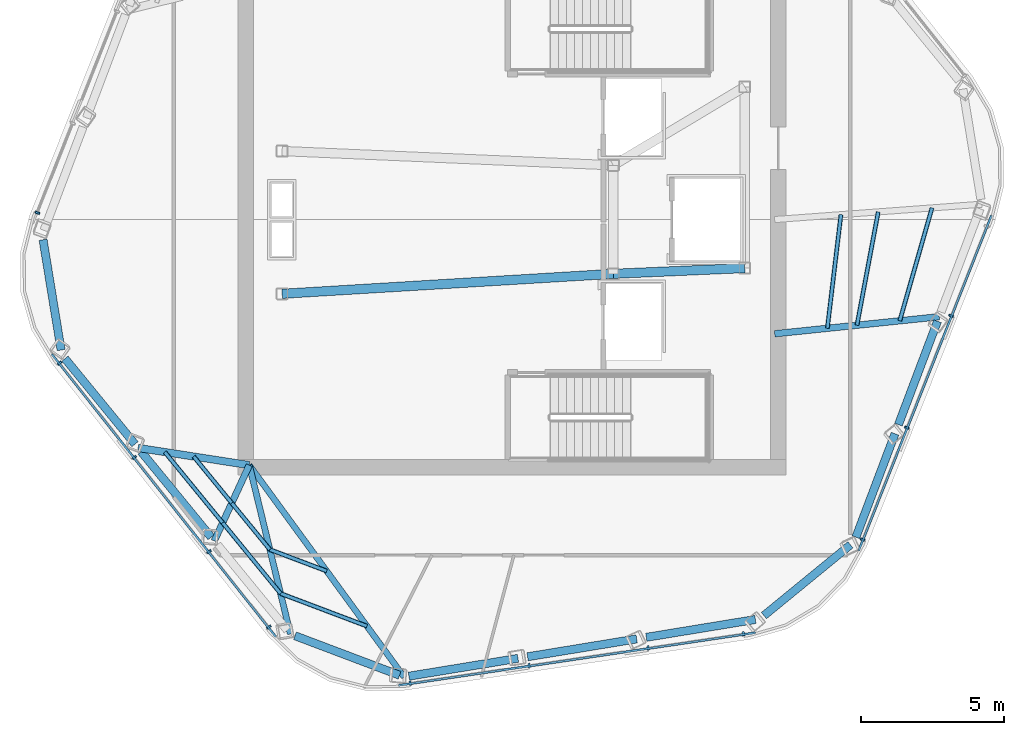
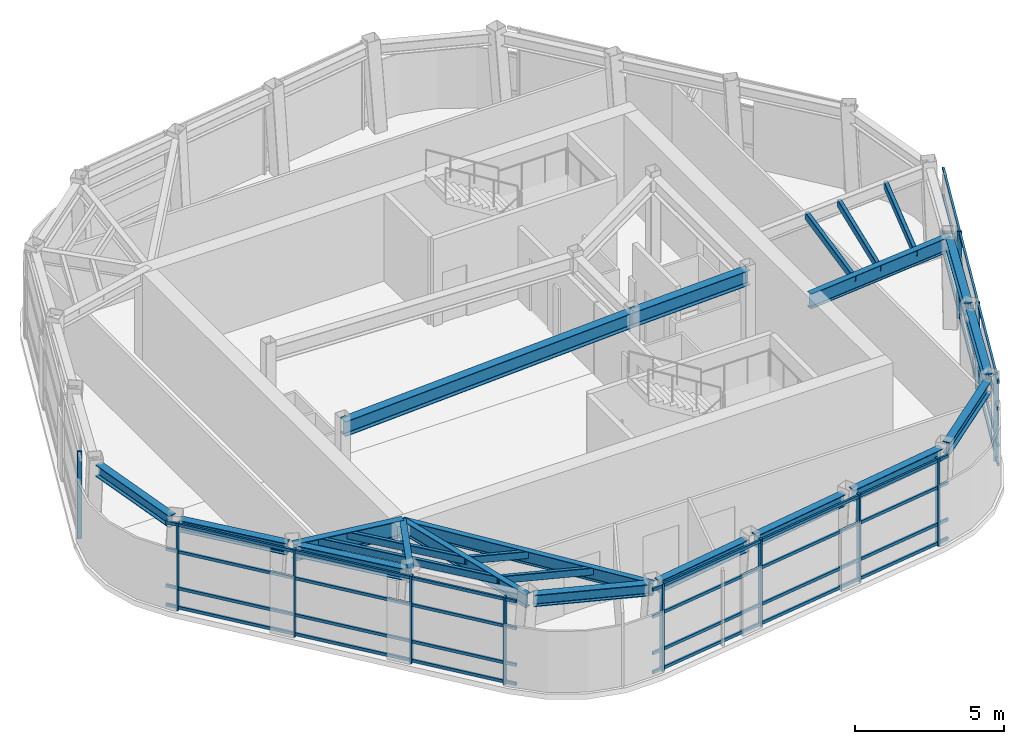
# One storey, part 2 of 9: 33 members, 17 beams, 4 elements without a shape of their own.
"""IFC4 building model written with IfcOpenShell, lengths in metres."""

from ifc_helpers import new_model, si_unit, direction, frame, origin, origin_2d, place, context, subcontext, project, spatial, rectangle, hollow_rectangle, i_section, extrude, material, layer, layer_set, material_profile, profile_set, type_object, element, aggregate, save


model = new_model("IFC4")

# Units and contexts
model_context = context("Model", 3, precision=1e-05, world=origin(), true_north=direction((0.0, 1.0)))
body_context = subcontext(model_context, "Body", "Model", "MODEL_VIEW")
ifc_project = project(units=[si_unit("LENGTHUNIT", "METRE"), si_unit("AREAUNIT", "SQUARE_METRE"), si_unit("VOLUMEUNIT", "CUBIC_METRE"), si_unit("PLANEANGLEUNIT", "RADIAN"), si_unit("MASSUNIT", "GRAM", prefix="KILO")], contexts=[model_context])

# Site, building, storey
site_placement = place(None, origin())
site = spatial("IfcSite", under=ifc_project, at=site_placement, CompositionType="ELEMENT")
building_placement = place(site_placement, origin())
building = spatial("IfcBuilding", under=site, at=building_placement, Name="Valkerne Bourse Tower", CompositionType="ELEMENT")
storey_placement = place(building_placement, frame((0.0, 0.0, 319.199951171875)))
storey = spatial("IfcBuildingStorey", under=building, at=storey_placement, Name="L81", CompositionType="ELEMENT", Elevation=319.199951171875)

# Beams
ifc_material_1 = material(Name="Steel ASTM A992", Category="steel")
ifc_material_profile_1 = material_profile(ifc_material_1, i_section(OverallWidth=0.284423828125, OverallDepth=0.47509765625, WebThickness=0.014892578125, FlangeThickness=0.02392578125, FilletRadius=0.017822265625, at=origin_2d()), Name="W18X106")
ifc_profile_set_1 = profile_set([ifc_material_profile_1], Name="Steel ASTM A992")
beam_type_1 = type_object("IfcBeamType", Name="BM-W18X106", PredefinedType="BEAM", material=ifc_profile_set_1)
beam_1_placement = place(storey_placement, frame((30.376708984375, 26.29443359375, 3.342529296875), z_axis=(0.161617748474, -0.986853435611, 0.0), x_axis=(0.986853435611, 0.161617748474, 0.0)))
element("IfcBeam", 1, at=beam_1_placement, inside=storey, type_object=beam_type_1, Name="L81 Hexagonal Spandrel Ring Beam 07", PredefinedType="BEAM", context=body_context, shape_type="SweptSolid", body=[
    extrude(i_section(OverallWidth=0.284423828125, OverallDepth=0.47509765625, WebThickness=0.014892578125, FlangeThickness=0.02392578125, FilletRadius=0.017822265625, at=origin_2d()), origin(), (0.0, 0.0, 1.0), 3.91552734375),
])
beam_2_placement = place(storey_placement, frame((31.14453125, 22.130859375, 3.342529296875), z_axis=(0.63339916281, -0.773825239025, 0.0), x_axis=(0.773825239025, 0.63339916281, 0.0)))
element("IfcBeam", 2, at=beam_2_placement, inside=storey, type_object=beam_type_1, Name="L81 Hexagonal Spandrel Ring Beam 08", PredefinedType="BEAM", context=body_context, shape_type="SweptSolid", body=[
    extrude(i_section(OverallWidth=0.284423828125, OverallDepth=0.47509765625, WebThickness=0.014892578125, FlangeThickness=0.02392578125, FilletRadius=0.017822265625, at=origin_2d()), origin(), (0.0, 0.0, 1.0), 3.871826171875),
])
beam_3_placement = place(storey_placement, frame((33.8125, 18.87158203125, 3.342529296875), z_axis=(0.633368257448, -0.773850534959, 0.0), x_axis=(0.773850534959, 0.633368257448, 0.0)))
element("IfcBeam", 3, at=beam_3_placement, inside=storey, type_object=beam_type_1, Name="L81 Hexagonal Spandrel Ring Beam 09", PredefinedType="BEAM", context=body_context, shape_type="SweptSolid", body=[
    extrude(i_section(OverallWidth=0.284423828125, OverallDepth=0.47509765625, WebThickness=0.014892578125, FlangeThickness=0.02392578125, FilletRadius=0.017822265625, at=origin_2d()), origin(), (0.0, 0.0, 1.0), 3.8720703125),
])
beam_4_placement = place(storey_placement, frame((39.19921875, 12.42431640625, 3.342529296875), z_axis=(0.935434530098, -0.353499985714, 0.0), x_axis=(0.353499985714, 0.935434530098, 0.0)))
element("IfcBeam", 4, at=beam_4_placement, inside=storey, type_object=beam_type_1, Name="L81 Hexagonal Spandrel Ring Beam 11", PredefinedType="BEAM", context=body_context, shape_type="SweptSolid", body=[
    extrude(i_section(OverallWidth=0.284423828125, OverallDepth=0.47509765625, WebThickness=0.014892578125, FlangeThickness=0.02392578125, FilletRadius=0.017822265625, at=origin_2d()), origin(), (0.0, 0.0, 1.0), 3.916015625),
])
for number, where, z_axis, x_axis, name in (
    (5, (43.18896484375, 11.007568359375, 3.342529296875), (0.986855208983, 0.161606919725, 0.0), (-0.161606919725, 0.986855208983, 0.0), "L81 Hexagonal Spandrel Ring Beam 12"),
    (6, (47.345703125, 11.688232421875, 3.342529296875), (0.986855208983, 0.161606919725, 0.0), (-0.161606919725, 0.986855208983, 0.0), "L81 Hexagonal Spandrel Ring Beam 13"),
    (7, (51.502197265625, 12.368896484375, 3.342529296875), (0.986865263163, 0.161545511739, 0.0), (-0.161545511739, 0.986865263163, 0.0), "L81 Hexagonal Spandrel Ring Beam 14"),
):
    element("IfcBeam", number, at=place(storey_placement, frame(where, z_axis=z_axis, x_axis=x_axis)), inside=storey, type_object=beam_type_1, Name=name, PredefinedType="BEAM", context=body_context, shape_type="SweptSolid", body=[
        extrude(i_section(OverallWidth=0.284423828125, OverallDepth=0.47509765625, WebThickness=0.014892578125, FlangeThickness=0.02392578125, FilletRadius=0.017822265625, at=origin_2d()), origin(), (0.0, 0.0, 1.0), 3.871826171875),
    ])
beam_5_placement = place(storey_placement, frame((55.622802734375, 13.129638671875, 3.342529296875), z_axis=(0.773793366703, 0.633438099302, 0.0), x_axis=(-0.633438099302, 0.773793366703, 0.0)))
element("IfcBeam", 8, at=beam_5_placement, inside=storey, type_object=beam_type_1, Name="L81 Hexagonal Spandrel Ring Beam 15", PredefinedType="BEAM", context=body_context, shape_type="SweptSolid", body=[
    extrude(i_section(OverallWidth=0.284423828125, OverallDepth=0.47509765625, WebThickness=0.014892578125, FlangeThickness=0.02392578125, FilletRadius=0.017822265625, at=origin_2d()), origin(), (0.0, 0.0, 1.0), 3.91552734375),
])
for number, where, z_axis, x_axis, name in (
    (9, (58.844482421875, 15.87646484375, 3.342529296875), (0.353471685559, 0.935445224216, 0.0), (-0.935445224216, 0.353471685559, 0.0), "L81 Hexagonal Spandrel Ring Beam 16"),
    (10, (60.333251953125, 19.816650390625, 3.342529296875), (0.353471685559, 0.935445224216, 0.0), (-0.935445224216, 0.353471685559, 0.0), "L81 Hexagonal Spandrel Ring Beam 17"),
):
    element("IfcBeam", number, at=place(storey_placement, frame(where, z_axis=z_axis, x_axis=x_axis)), inside=storey, type_object=beam_type_1, Name=name, PredefinedType="BEAM", context=body_context, shape_type="SweptSolid", body=[
        extrude(i_section(OverallWidth=0.284423828125, OverallDepth=0.47509765625, WebThickness=0.014892578125, FlangeThickness=0.02392578125, FilletRadius=0.017822265625, at=origin_2d()), origin(), (0.0, 0.0, 1.0), 3.8720703125),
    ])
ifc_material_profile_2 = material_profile(ifc_material_1, i_section(OverallWidth=0.209228515625, OverallDepth=0.533447265625, WebThickness=0.01025390625, FlangeThickness=0.015625, FilletRadius=0.017822265625, at=origin_2d()), Name="W21X62")
ifc_profile_set_2 = profile_set([ifc_material_profile_2], Name="Steel ASTM A992")
beam_type_2 = type_object("IfcBeamType", Name="BM-W21X62", PredefinedType="JOIST", material=ifc_profile_set_2)
beam_6_placement = place(storey_placement, frame((43.021240234375, 10.97998046875, 3.313232421875), z_axis=(-0.589937984802, 0.807448558168, 0.0), x_axis=(-0.807448558168, -0.589937984802, 0.0)))
element("IfcBeam", 11, at=beam_6_placement, inside=storey, type_object=beam_type_2, Name="L81 Radial Composite Floor Beam 12", PredefinedType="JOIST", context=body_context, shape_type="SweptSolid", body=[
    extrude(i_section(OverallWidth=0.209228515625, OverallDepth=0.533447265625, WebThickness=0.01025390625, FlangeThickness=0.015625, FilletRadius=0.017822265625, at=origin_2d()), origin(), (0.0, 0.0, 1.0), 9.189453125),
])
ifc_material_profile_3 = material_profile(ifc_material_1, i_section(OverallWidth=0.2138671875, OverallDepth=0.548583984375, WebThickness=0.0146484375, FlangeThickness=0.023681640625, FilletRadius=0.017822265625, at=origin_2d()), Name="W21X93")
ifc_profile_set_3 = profile_set([ifc_material_profile_3], Name="Steel ASTM A992")
beam_type_3 = type_object("IfcBeamType", Name="BM-W21X93", PredefinedType="BEAM", material=ifc_profile_set_3)
beam_7_placement = place(storey_placement, frame((39.040283203125, 12.484375, 3.3056640625), z_axis=(-0.23654905915, 0.971619546229, 0.0), x_axis=(-0.971619546229, -0.23654905915, 0.0)))
element("IfcBeam", 12, at=beam_7_placement, inside=storey, type_object=beam_type_3, Name="L81 Radial Composite Floor Beam 11", PredefinedType="BEAM", context=body_context, shape_type="SweptSolid", body=[
    extrude(i_section(OverallWidth=0.2138671875, OverallDepth=0.548583984375, WebThickness=0.0146484375, FlangeThickness=0.023681640625, FilletRadius=0.017822265625, at=origin_2d()), origin(), (0.0, 0.0, 1.0), 6.08837890625),
])
ifc_material_profile_4 = material_profile(ifc_material_1, i_section(OverallWidth=0.3251953125, OverallDepth=0.612060546875, WebThickness=0.0126953125, FlangeThickness=0.01904296875, FilletRadius=0.020263671875, at=origin_2d()), Name="W24X104")
ifc_profile_set_4 = profile_set([ifc_material_profile_4], Name="Steel ASTM A992")
beam_type_4 = type_object("IfcBeamType", Name="BM-W24X104", PredefinedType="BEAM", material=ifc_profile_set_4)
beam_8_placement = place(storey_placement, frame((50.35009765625, 25.10009765625, 3.27392578125), z_axis=(0.999056558506, 0.043428019819, 0.0), x_axis=(-0.043428019819, 0.999056558506, 0.0)))
element("IfcBeam", 13, at=beam_8_placement, inside=storey, type_object=beam_type_4, Name="L81 Core Frame Girder CG-SE", PredefinedType="BEAM", context=body_context, shape_type="SweptSolid", body=[
    extrude(i_section(OverallWidth=0.3251953125, OverallDepth=0.612060546875, WebThickness=0.0126953125, FlangeThickness=0.01904296875, FilletRadius=0.020263671875, at=origin_2d()), origin(), (0.0, 0.0, 1.0), 4.604248046875),
])
beam_9_placement = place(storey_placement, frame((38.75, 24.39990234375, 3.27392578125), z_axis=(0.998183228389, 0.060251494276, 0.0), x_axis=(-0.060251494276, 0.998183228389, 0.0)))
element("IfcBeam", 14, at=beam_9_placement, inside=storey, type_object=beam_type_4, Name="L81 Core Frame Girder CG-SW", PredefinedType="BEAM", context=body_context, shape_type="SweptSolid", body=[
    extrude(i_section(OverallWidth=0.3251953125, OverallDepth=0.612060546875, WebThickness=0.0126953125, FlangeThickness=0.01904296875, FilletRadius=0.020263671875, at=origin_2d()), origin(), (0.0, 0.0, 1.0), 11.62109375),
])
ifc_material_profile_5 = material_profile(ifc_material_1, i_section(OverallWidth=0.228271484375, OverallDepth=0.607177734375, WebThickness=0.01123046875, FlangeThickness=0.017333984375, FilletRadius=0.017822265625, at=origin_2d()), Name="W24X76")
ifc_profile_set_5 = profile_set([ifc_material_profile_5], Name="Steel ASTM A992")
beam_type_5 = type_object("IfcBeamType", Name="BM-W24X76", PredefinedType="JOIST", material=ifc_profile_set_5)
beam_10_placement = place(storey_placement, frame((36.37255859375, 15.74365234375, 3.2763671875), z_axis=(0.419502562129, 0.907754151942, 0.0), x_axis=(-0.907754151942, 0.419502562129, 0.0)))
element("IfcBeam", 15, at=beam_10_placement, inside=storey, type_object=beam_type_5, Name="L81 Radial Composite Floor Beam 10", PredefinedType="JOIST", context=body_context, shape_type="SweptSolid", body=[
    extrude(i_section(OverallWidth=0.228271484375, OverallDepth=0.607177734375, WebThickness=0.01123046875, FlangeThickness=0.017333984375, FilletRadius=0.017822265625, at=origin_2d()), origin(), (0.0, 0.0, 1.0), 2.92626953125),
])
beam_11_placement = place(storey_placement, frame((61.761962890625, 23.59765625, 3.2763671875), z_axis=(-0.994663643523, -0.103170907985, 0.0), x_axis=(0.103170907985, -0.994663643523, 0.0)))
element("IfcBeam", 16, at=beam_11_placement, inside=storey, type_object=beam_type_5, Name="L81 Radial Composite Floor Beam 18", PredefinedType="JOIST", context=body_context, shape_type="SweptSolid", body=[
    extrude(i_section(OverallWidth=0.228271484375, OverallDepth=0.607177734375, WebThickness=0.01123046875, FlangeThickness=0.017333984375, FilletRadius=0.017822265625, at=origin_2d()), origin(), (0.0, 0.0, 1.0), 5.79296875),
])
ifc_material_profile_6 = material_profile(ifc_material_1, i_section(OverallWidth=0.255859375, OverallDepth=0.693359375, WebThickness=0.014404296875, FlangeThickness=0.023681640625, FilletRadius=0.02294921875, at=origin_2d()), Name="W27X114")
ifc_profile_set_6 = profile_set([ifc_material_profile_6], Name="Steel ASTM A992")
beam_type_6 = type_object("IfcBeamType", Name="BM-W27X114", PredefinedType="BEAM", material=ifc_profile_set_6)
beam_12_placement = place(storey_placement, frame((33.70458984375, 19.003173828125, 3.2333984375), z_axis=(0.988220133633, -0.153039104425, 0.0), x_axis=(0.153039104425, 0.988220133633, 0.0)))
element("IfcBeam", 17, at=beam_12_placement, inside=storey, type_object=beam_type_6, Name="L81 Radial Composite Floor Beam 09", PredefinedType="BEAM", context=body_context, shape_type="SweptSolid", body=[
    extrude(i_section(OverallWidth=0.255859375, OverallDepth=0.693359375, WebThickness=0.014404296875, FlangeThickness=0.023681640625, FilletRadius=0.02294921875, at=origin_2d()), origin(), (0.0, 0.0, 1.0), 3.94189453125),
])

# Curtain wall, member
ifc_material_2 = material(Name="Aluminium AA 6063-T6", Category="aluminium")
ifc_layer = layer(ifc_material_2, 0.25)
ifc_layer_set = layer_set([ifc_layer], Name="Aluminium AA 6063-T6")
curtain_wall_type = type_object("IfcCurtainWallType", Name="CW-06", PredefinedType="NOTDEFINED", material=ifc_layer_set)
curtain_wall_1_placement = place(storey_placement, origin())
curtain_wall_1 = element("IfcCurtainWall", 18, at=curtain_wall_1_placement, inside=storey, type_object=curtain_wall_type, Name="L81 Hexagonal Stick Curtain Wall Face 2", PredefinedType="NOTDEFINED")
ifc_material_profile_7 = material_profile(ifc_material_2, rectangle(XDim=0.074951171875, YDim=0.159912109375, at=origin_2d()), Name="CWM-75X160")
ifc_profile_set_7 = profile_set([ifc_material_profile_7], Name="Aluminium AA 6063-T6")
member_type_1 = type_object("IfcMemberType", Name="CW-MUL-160X75", PredefinedType="MULLION", material=ifc_profile_set_7)
member_1_placement = place(storey_placement, frame((30.181396484375, 27.236328125, 0.0), z_axis=(0.0, 0.0, 1.0), x_axis=(-0.368117724578, -0.929779189298, 0.0)))
member_1 = element("IfcMember", 19, at=member_1_placement, type_object=member_type_1, Name="CW-L81-F2 Jamb Mullion 02B", PredefinedType="MULLION", context=body_context, shape_type="SweptSolid", body=[
    extrude(rectangle(XDim=0.074951171875, YDim=0.159912109375, at=origin_2d()), origin(), (0.0, 0.0, 1.0), 3.580078125),
])
aggregate(curtain_wall_1, [member_1])

# Curtain wall, members
curtain_wall_2_placement = place(storey_placement, origin())
curtain_wall_2 = element("IfcCurtainWall", 20, at=curtain_wall_2_placement, inside=storey, type_object=curtain_wall_type, Name="L81 Hexagonal Stick Curtain Wall Face 3", PredefinedType="NOTDEFINED")
member_2_placement = place(storey_placement, frame((30.958740234375, 21.970458984375, 0.0), z_axis=(0.0, 0.0, 1.0), x_axis=(0.621153452268, -0.783688961729, 0.0)))
member_2 = element("IfcMember", 21, at=member_2_placement, type_object=member_type_1, Name="CW-L81-F3 Jamb Mullion 00A", PredefinedType="MULLION", context=body_context, shape_type="SweptSolid", body=[
    extrude(rectangle(XDim=0.074951171875, YDim=0.159912109375, at=origin_2d()), origin(), (0.0, 0.0, 1.0), 3.580078125),
])
member_3_placement = place(storey_placement, frame((33.5751953125, 18.66943359375, 0.0), z_axis=(0.0, 0.0, 1.0), x_axis=(0.621153452268, -0.783688961729, 0.0)))
member_3 = element("IfcMember", 22, at=member_3_placement, type_object=member_type_1, Name="CW-L81-F3 Jamb Mullion 01A", PredefinedType="MULLION", context=body_context, shape_type="SweptSolid", body=[
    extrude(rectangle(XDim=0.074951171875, YDim=0.159912109375, at=origin_2d()), origin(), (0.0, 0.0, 1.0), 3.580078125),
])
member_4_placement = place(storey_placement, frame((36.19140625, 15.36865234375, 0.0), z_axis=(0.0, 0.0, 1.0), x_axis=(0.621153452268, -0.783688961729, 0.0)))
member_4 = element("IfcMember", 23, at=member_4_placement, type_object=member_type_1, Name="CW-L81-F3 Jamb Mullion 02A", PredefinedType="MULLION", context=body_context, shape_type="SweptSolid", body=[
    extrude(rectangle(XDim=0.074951171875, YDim=0.159912109375, at=origin_2d()), origin(), (0.0, 0.0, 1.0), 3.580078125),
])
member_5_placement = place(storey_placement, frame((38.285888671875, 12.72607421875, 0.0), z_axis=(0.0, 0.0, 1.0), x_axis=(0.621153452268, -0.783688961729, 0.0)))
member_5 = element("IfcMember", 24, at=member_5_placement, type_object=member_type_1, Name="CW-L81-F3 Jamb Mullion 02B", PredefinedType="MULLION", context=body_context, shape_type="SweptSolid", body=[
    extrude(rectangle(XDim=0.074951171875, YDim=0.159912109375, at=origin_2d()), origin(), (0.0, 0.0, 1.0), 3.580078125),
])

curtain_wall_3_placement = place(storey_placement, origin())
curtain_wall_3 = element("IfcCurtainWall", 25, at=curtain_wall_3_placement, inside=storey, type_object=curtain_wall_type, Name="L81 Hexagonal Stick Curtain Wall Face 4", PredefinedType="NOTDEFINED")
member_6_placement = place(storey_placement, frame((43.2353515625, 10.766357421875, 0.0), z_axis=(0.0, 0.0, 1.0), x_axis=(0.989268884188, 0.146106381713, 0.0)))
member_6 = element("IfcMember", 26, at=member_6_placement, type_object=member_type_1, Name="CW-L81-F4 Jamb Mullion 00A", PredefinedType="MULLION", context=body_context, shape_type="SweptSolid", body=[
    extrude(rectangle(XDim=0.074951171875, YDim=0.159912109375, at=origin_2d()), origin(), (0.0, 0.0, 1.0), 3.580078125),
])
member_7_placement = place(storey_placement, frame((47.402099609375, 11.381591796875, 0.0), z_axis=(0.0, 0.0, 1.0), x_axis=(0.989272315516, 0.146083146714, 0.0)))
member_7 = element("IfcMember", 27, at=member_7_placement, type_object=member_type_1, Name="CW-L81-F4 Jamb Mullion 01A", PredefinedType="MULLION", context=body_context, shape_type="SweptSolid", body=[
    extrude(rectangle(XDim=0.074951171875, YDim=0.159912109375, at=origin_2d()), origin(), (0.0, 0.0, 1.0), 3.580078125),
])
member_8_placement = place(storey_placement, frame((51.56884765625, 11.9970703125, 0.0), z_axis=(0.0, 0.0, 1.0), x_axis=(0.989272315516, 0.146083146714, 0.0)))
member_8 = element("IfcMember", 28, at=member_8_placement, type_object=member_type_1, Name="CW-L81-F4 Jamb Mullion 02A", PredefinedType="MULLION", context=body_context, shape_type="SweptSolid", body=[
    extrude(rectangle(XDim=0.074951171875, YDim=0.159912109375, at=origin_2d()), origin(), (0.0, 0.0, 1.0), 3.580078125),
])
member_9_placement = place(storey_placement, frame((54.90478515625, 12.489501953125, 0.0), z_axis=(0.0, 0.0, 1.0), x_axis=(0.989272315516, 0.146083146714, 0.0)))
member_9 = element("IfcMember", 29, at=member_9_placement, type_object=member_type_1, Name="CW-L81-F4 Jamb Mullion 02B", PredefinedType="MULLION", context=body_context, shape_type="SweptSolid", body=[
    extrude(rectangle(XDim=0.074951171875, YDim=0.159912109375, at=origin_2d()), origin(), (0.0, 0.0, 1.0), 3.580078125),
])

curtain_wall_4_placement = place(storey_placement, origin())
curtain_wall_4 = element("IfcCurtainWall", 30, at=curtain_wall_4_placement, inside=storey, type_object=curtain_wall_type, Name="L81 Hexagonal Stick Curtain Wall Face 5", PredefinedType="NOTDEFINED")
member_10_placement = place(storey_placement, frame((59.076416015625, 15.7958984375, 0.0), z_axis=(0.0, 0.0, 1.0), x_axis=(0.368130122677, 0.929774280553, 0.0)))
member_10 = element("IfcMember", 31, at=member_10_placement, type_object=member_type_1, Name="CW-L81-F5 Jamb Mullion 00A", PredefinedType="MULLION", context=body_context, shape_type="SweptSolid", body=[
    extrude(rectangle(XDim=0.074951171875, YDim=0.159912109375, at=origin_2d()), origin(), (0.0, 0.0, 1.0), 3.580078125),
])
member_11_placement = place(storey_placement, frame((60.626953125, 19.712158203125, 0.0), z_axis=(0.0, 0.0, 1.0), x_axis=(0.368117724578, 0.929779189298, 0.0)))
member_11 = element("IfcMember", 32, at=member_11_placement, type_object=member_type_1, Name="CW-L81-F5 Jamb Mullion 01A", PredefinedType="MULLION", context=body_context, shape_type="SweptSolid", body=[
    extrude(rectangle(XDim=0.074951171875, YDim=0.159912109375, at=origin_2d()), origin(), (0.0, 0.0, 1.0), 3.580078125),
])
member_12_placement = place(storey_placement, frame((62.177490234375, 23.62841796875, 0.0), z_axis=(0.0, 0.0, 1.0), x_axis=(0.368117724578, 0.929779189298, 0.0)))
member_12 = element("IfcMember", 33, at=member_12_placement, type_object=member_type_1, Name="CW-L81-F5 Jamb Mullion 02A", PredefinedType="MULLION", context=body_context, shape_type="SweptSolid", body=[
    extrude(rectangle(XDim=0.074951171875, YDim=0.159912109375, at=origin_2d()), origin(), (0.0, 0.0, 1.0), 3.580078125),
])

# Member
ifc_material_profile_8 = material_profile(ifc_material_2, rectangle(XDim=0.074951171875, YDim=0.1201171875, at=origin_2d()), Name="CWT-75X120")
ifc_profile_set_8 = profile_set([ifc_material_profile_8], Name="Aluminium AA 6063-T6")
member_type_2 = type_object("IfcMemberType", Name="CW-TRN-120X75", PredefinedType="USERDEFINED", material=ifc_profile_set_8)
member_13_placement = place(storey_placement, frame((30.682373046875, 22.287109375, 0.1201171875), z_axis=(0.621156651015, -0.783686426385, 0.0), x_axis=(0.783686426385, 0.621156651015, 0.0)))
member_13 = element("IfcMember", 34, at=member_13_placement, type_object=member_type_2, Name="CW-L81-F3 Continuous Face Transom 1", ObjectType="TRANSOM", PredefinedType="USERDEFINED", context=body_context, shape_type="SweptSolid", body=[
    extrude(rectangle(XDim=0.074951171875, YDim=0.1201171875, at=origin_2d()), origin(), (0.0, 0.0, 1.0), 12.635986328125),
])

member_14_placement = place(storey_placement, frame((30.682373046875, 22.287109375, 0.900146484375), z_axis=(0.621156651015, -0.783686426385, 0.0), x_axis=(0.783686426385, 0.621156651015, 0.0)))
member_14 = element("IfcMember", 35, at=member_14_placement, type_object=member_type_2, Name="CW-L81-F3 Continuous Face Transom 2", ObjectType="TRANSOM", PredefinedType="USERDEFINED", context=body_context, shape_type="SweptSolid", body=[
    extrude(rectangle(XDim=0.074951171875, YDim=0.1201171875, at=origin_2d()), origin(), (0.0, 0.0, 1.0), 12.635986328125),
])

member_15_placement = place(storey_placement, frame((30.682373046875, 22.287109375, 2.400146484375), z_axis=(0.621156651015, -0.783686426385, 0.0), x_axis=(0.783686426385, 0.621156651015, 0.0)))
member_15 = element("IfcMember", 36, at=member_15_placement, type_object=member_type_2, Name="CW-L81-F3 Continuous Face Transom 3", ObjectType="TRANSOM", PredefinedType="USERDEFINED", context=body_context, shape_type="SweptSolid", body=[
    extrude(rectangle(XDim=0.074951171875, YDim=0.1201171875, at=origin_2d()), origin(), (0.0, 0.0, 1.0), 12.635986328125),
])

member_16_placement = place(storey_placement, frame((30.682373046875, 22.287109375, 3.5), z_axis=(0.621156651015, -0.783686426385, 0.0), x_axis=(0.783686426385, 0.621156651015, 0.0)))
member_16 = element("IfcMember", 37, at=member_16_placement, type_object=member_type_2, Name="CW-L81-F3 Continuous Face Transom 4", ObjectType="TRANSOM", PredefinedType="USERDEFINED", context=body_context, shape_type="SweptSolid", body=[
    extrude(rectangle(XDim=0.074951171875, YDim=0.1201171875, at=origin_2d()), origin(), (0.0, 0.0, 1.0), 12.635986328125),
])

aggregate(curtain_wall_2, [member_13, member_14, member_15, member_16, member_2, member_3, member_4, member_5])

member_17_placement = place(storey_placement, frame((42.82275390625, 10.685302734375, 0.1201171875), z_axis=(0.989271511696, 0.146088590065, 0.0), x_axis=(-0.146088590065, 0.989271511696, 0.0)))
member_17 = element("IfcMember", 38, at=member_17_placement, type_object=member_type_2, Name="CW-L81-F4 Continuous Face Transom 1", ObjectType="TRANSOM", PredefinedType="USERDEFINED", context=body_context, shape_type="SweptSolid", body=[
    extrude(rectangle(XDim=0.074951171875, YDim=0.1201171875, at=origin_2d()), origin(), (0.0, 0.0, 1.0), 12.6357421875),
])

member_18_placement = place(storey_placement, frame((42.82275390625, 10.685302734375, 0.900146484375), z_axis=(0.989271511696, 0.146088590065, 0.0), x_axis=(-0.146088590065, 0.989271511696, 0.0)))
member_18 = element("IfcMember", 39, at=member_18_placement, type_object=member_type_2, Name="CW-L81-F4 Continuous Face Transom 2", ObjectType="TRANSOM", PredefinedType="USERDEFINED", context=body_context, shape_type="SweptSolid", body=[
    extrude(rectangle(XDim=0.074951171875, YDim=0.1201171875, at=origin_2d()), origin(), (0.0, 0.0, 1.0), 12.6357421875),
])

member_19_placement = place(storey_placement, frame((42.82275390625, 10.685302734375, 2.400146484375), z_axis=(0.989271511696, 0.146088590065, 0.0), x_axis=(-0.146088590065, 0.989271511696, 0.0)))
member_19 = element("IfcMember", 40, at=member_19_placement, type_object=member_type_2, Name="CW-L81-F4 Continuous Face Transom 3", ObjectType="TRANSOM", PredefinedType="USERDEFINED", context=body_context, shape_type="SweptSolid", body=[
    extrude(rectangle(XDim=0.074951171875, YDim=0.1201171875, at=origin_2d()), origin(), (0.0, 0.0, 1.0), 12.6357421875),
])

member_20_placement = place(storey_placement, frame((42.82275390625, 10.685302734375, 3.5), z_axis=(0.989271511696, 0.146088590065, 0.0), x_axis=(-0.146088590065, 0.989271511696, 0.0)))
member_20 = element("IfcMember", 41, at=member_20_placement, type_object=member_type_2, Name="CW-L81-F4 Continuous Face Transom 4", ObjectType="TRANSOM", PredefinedType="USERDEFINED", context=body_context, shape_type="SweptSolid", body=[
    extrude(rectangle(XDim=0.074951171875, YDim=0.1201171875, at=origin_2d()), origin(), (0.0, 0.0, 1.0), 12.6357421875),
])

aggregate(curtain_wall_3, [member_17, member_18, member_19, member_20, member_6, member_7, member_8, member_9])

member_21_placement = place(storey_placement, frame((58.940185546875, 15.398193359375, 0.1201171875), z_axis=(0.368127097546, 0.929775478302, 0.0), x_axis=(-0.929775478302, 0.368127097546, 0.0)))
member_21 = element("IfcMember", 42, at=member_21_placement, type_object=member_type_2, Name="CW-L81-F5 Continuous Face Transom 1", ObjectType="TRANSOM", PredefinedType="USERDEFINED", context=body_context, shape_type="SweptSolid", body=[
    extrude(rectangle(XDim=0.074951171875, YDim=0.1201171875, at=origin_2d()), origin(), (0.0, 0.0, 1.0), 12.635986328125),
])

member_22_placement = place(storey_placement, frame((58.940185546875, 15.398193359375, 0.900146484375), z_axis=(0.368127097546, 0.929775478302, 0.0), x_axis=(-0.929775478302, 0.368127097546, 0.0)))
member_22 = element("IfcMember", 43, at=member_22_placement, type_object=member_type_2, Name="CW-L81-F5 Continuous Face Transom 2", ObjectType="TRANSOM", PredefinedType="USERDEFINED", context=body_context, shape_type="SweptSolid", body=[
    extrude(rectangle(XDim=0.074951171875, YDim=0.1201171875, at=origin_2d()), origin(), (0.0, 0.0, 1.0), 12.635986328125),
])

member_23_placement = place(storey_placement, frame((58.940185546875, 15.398193359375, 2.400146484375), z_axis=(0.368127097546, 0.929775478302, 0.0), x_axis=(-0.929775478302, 0.368127097546, 0.0)))
member_23 = element("IfcMember", 44, at=member_23_placement, type_object=member_type_2, Name="CW-L81-F5 Continuous Face Transom 3", ObjectType="TRANSOM", PredefinedType="USERDEFINED", context=body_context, shape_type="SweptSolid", body=[
    extrude(rectangle(XDim=0.074951171875, YDim=0.1201171875, at=origin_2d()), origin(), (0.0, 0.0, 1.0), 12.635986328125),
])

member_24_placement = place(storey_placement, frame((58.940185546875, 15.398193359375, 3.5), z_axis=(0.368127097546, 0.929775478302, 0.0), x_axis=(-0.929775478302, 0.368127097546, 0.0)))
member_24 = element("IfcMember", 45, at=member_24_placement, type_object=member_type_2, Name="CW-L81-F5 Continuous Face Transom 4", ObjectType="TRANSOM", PredefinedType="USERDEFINED", context=body_context, shape_type="SweptSolid", body=[
    extrude(rectangle(XDim=0.074951171875, YDim=0.1201171875, at=origin_2d()), origin(), (0.0, 0.0, 1.0), 12.635986328125),
])

aggregate(curtain_wall_4, [member_21, member_22, member_23, member_24, member_10, member_11, member_12])

# Members
ifc_material_3 = material(Name="Steel ASTM A500 Grade C", Category="steel")
ifc_material_profile_9 = material_profile(ifc_material_3, hollow_rectangle(XDim=0.14990234375, YDim=0.300048828125, WallThickness=0.012451171875, OuterFilletRadius=0.02490234375, at=origin_2d()), Name="HSS300X150X12.5")
ifc_profile_set_9 = profile_set([ifc_material_profile_9], Name="Steel ASTM A500 Grade C")
member_type_3 = type_object("IfcMemberType", Name="MBR-HSS300X150X12.5", PredefinedType="PURLIN", material=ifc_profile_set_9)
member_25_placement = place(storey_placement, frame((57.84375, 23.19140625, 3.420166015625), z_axis=(0.118869070717, 0.99290993752, 0.0), x_axis=(-0.99290993752, 0.118869070717, 0.0)))
element("IfcMember", 46, at=member_25_placement, inside=storey, type_object=member_type_3, Name="L81 Secondary Composite Floor Purlin I-18", PredefinedType="PURLIN", context=body_context, shape_type="SweptSolid", body=[
    extrude(hollow_rectangle(XDim=0.14990234375, YDim=0.300048828125, WallThickness=0.012451171875, OuterFilletRadius=0.02490234375, at=origin_2d()), origin(), (0.0, 0.0, 1.0), 4.009033203125),
])
for number, where, z_axis, x_axis, name in (
    (47, (35.65234375, 18.701416015625, 3.420166015625), (0.633351422423, -0.773864313504, 0.0), (0.773864313504, 0.633351422423, 0.0), "L81 Secondary Composite Floor Purlin M-09"),
    (48, (36.986083984375, 17.07177734375, 3.420166015625), (0.633420844141, -0.773807491698, 0.0), (0.773807491698, 0.633420844141, 0.0), "L81 Secondary Composite Floor Purlin M-10"),
):
    element("IfcMember", number, at=place(storey_placement, frame(where, z_axis=z_axis, x_axis=x_axis)), inside=storey, type_object=member_type_3, Name=name, PredefinedType="PURLIN", context=body_context, shape_type="SweptSolid", body=[
        extrude(hollow_rectangle(XDim=0.14990234375, YDim=0.300048828125, WallThickness=0.012451171875, OuterFilletRadius=0.02490234375, at=origin_2d()), origin(), (0.0, 0.0, 1.0), 2.10595703125),
    ])
member_26_placement = place(storey_placement, frame((38.320068359375, 15.442138671875, 3.420166015625), z_axis=(0.93543500043, -0.353498741117, 0.0), x_axis=(0.353498741117, 0.93543500043, 0.0)))
element("IfcMember", 49, at=member_26_placement, inside=storey, type_object=member_type_3, Name="L81 Secondary Composite Floor Purlin M-11", PredefinedType="PURLIN", context=body_context, shape_type="SweptSolid", body=[
    extrude(hollow_rectangle(XDim=0.14990234375, YDim=0.300048828125, WallThickness=0.012451171875, OuterFilletRadius=0.02490234375, at=origin_2d()), origin(), (0.0, 0.0, 1.0), 2.1279296875),
])
member_27_placement = place(storey_placement, frame((58.881103515625, 23.298828125, 3.420166015625), z_axis=(0.184292184467, 0.982871502662, 0.0), x_axis=(-0.982871502662, 0.184292184467, 0.0)))
element("IfcMember", 50, at=member_27_placement, inside=storey, type_object=member_type_3, Name="L81 Secondary Composite Floor Purlin M-18", PredefinedType="PURLIN", context=body_context, shape_type="SweptSolid", body=[
    extrude(hollow_rectangle(XDim=0.14990234375, YDim=0.300048828125, WallThickness=0.012451171875, OuterFilletRadius=0.02490234375, at=origin_2d()), origin(), (0.0, 0.0, 1.0), 4.0390625),
])
for number, where, z_axis, x_axis, name in (
    (51, (34.6396484375, 18.8583984375, 3.420166015625), (0.633325002987, -0.773885935129, 0.0), (0.773885935129, 0.633325002987, 0.0), "L81 Secondary Composite Floor Purlin O-09"),
    (52, (36.6669921875, 16.381103515625, 3.420166015625), (0.633408057078, -0.773817958714, 0.0), (0.773817958714, 0.633408057078, 0.0), "L81 Secondary Composite Floor Purlin O-10"),
):
    element("IfcMember", number, at=place(storey_placement, frame(where, z_axis=z_axis, x_axis=x_axis)), inside=storey, type_object=member_type_3, Name=name, PredefinedType="PURLIN", context=body_context, shape_type="SweptSolid", body=[
        extrude(hollow_rectangle(XDim=0.14990234375, YDim=0.300048828125, WallThickness=0.012451171875, OuterFilletRadius=0.02490234375, at=origin_2d()), origin(), (0.0, 0.0, 1.0), 3.201171875),
    ])
member_28_placement = place(storey_placement, frame((38.694580078125, 13.904052734375, 3.420166015625), z_axis=(0.935442145619, -0.353479832804, 0.0), x_axis=(0.353479832804, 0.935442145619, 0.0)))
element("IfcMember", 53, at=member_28_placement, inside=storey, type_object=member_type_3, Name="L81 Secondary Composite Floor Purlin O-11", PredefinedType="PURLIN", context=body_context, shape_type="SweptSolid", body=[
    extrude(hollow_rectangle(XDim=0.14990234375, YDim=0.300048828125, WallThickness=0.012451171875, OuterFilletRadius=0.02490234375, at=origin_2d()), origin(), (0.0, 0.0, 1.0), 3.234375),
])
member_29_placement = place(storey_placement, frame((60.379150390625, 23.454345703125, 3.420166015625), z_axis=(0.27506605996, 0.961425328696, 0.0), x_axis=(-0.961425328696, 0.27506605996, 0.0)))
element("IfcMember", 54, at=member_29_placement, inside=storey, type_object=member_type_3, Name="L81 Secondary Composite Floor Purlin O-18", PredefinedType="PURLIN", context=body_context, shape_type="SweptSolid", body=[
    extrude(hollow_rectangle(XDim=0.14990234375, YDim=0.300048828125, WallThickness=0.012451171875, OuterFilletRadius=0.02490234375, at=origin_2d()), origin(), (0.0, 0.0, 1.0), 4.113037109375),
])

save(model, "model.ifc")
